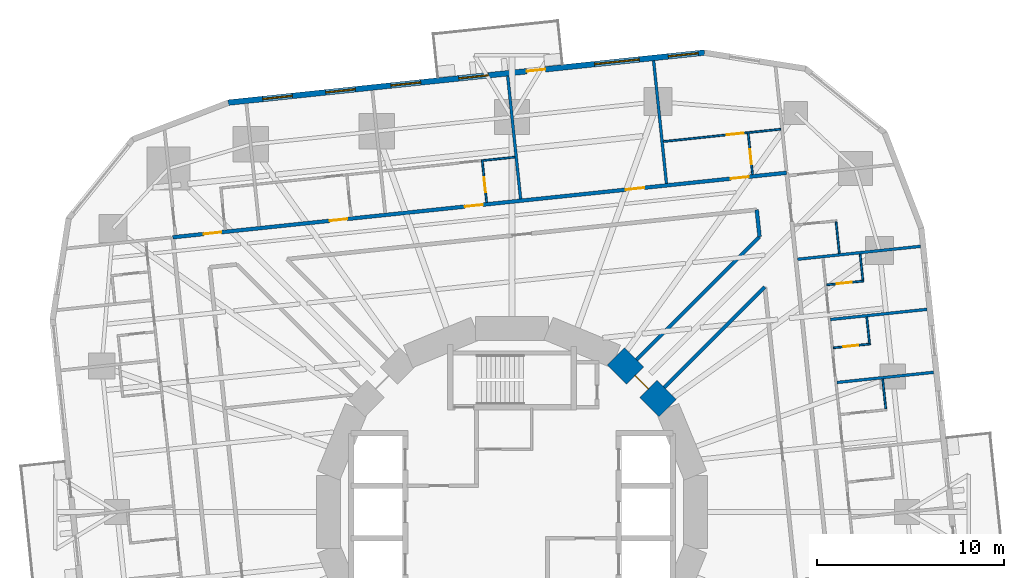
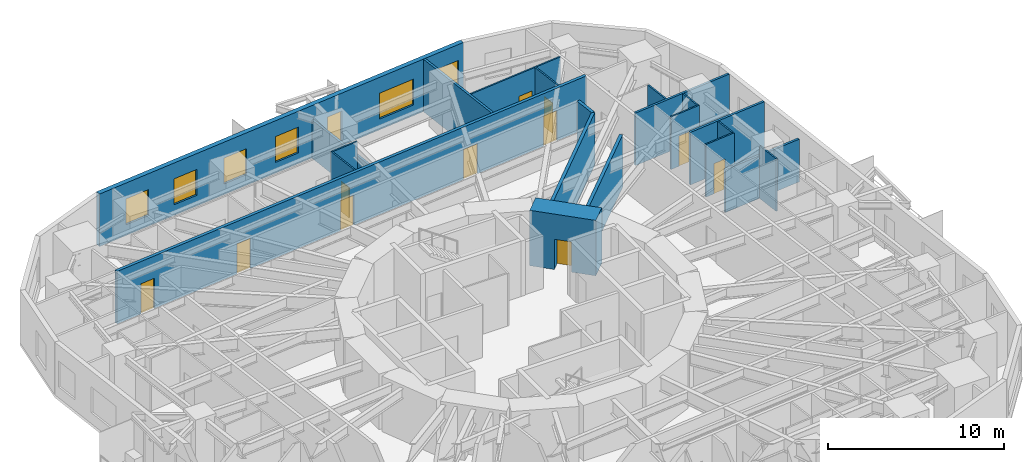
# One storey, part 11 of 14: 22 walls, 12 doors, 6 windows, 18 openings.
"""IFC4 building model written with IfcOpenShell, lengths in metres."""

from ifc_helpers import new_model, si_unit, direction, frame, frame_2d, origin, place, context, subcontext, project, spatial, rectangle, extrude, material, layer, layer_set, type_object, element, fill, save


model = new_model("IFC4")

# Units and contexts
model_context = context("Model", 3, precision=1e-05, world=origin(), true_north=direction((0.0, 1.0)))
body_context = subcontext(model_context, "Body", "Model", "MODEL_VIEW")
ifc_project = project(units=[si_unit("LENGTHUNIT", "METRE"), si_unit("AREAUNIT", "SQUARE_METRE"), si_unit("VOLUMEUNIT", "CUBIC_METRE"), si_unit("PLANEANGLEUNIT", "RADIAN"), si_unit("MASSUNIT", "GRAM", prefix="KILO")], contexts=[model_context])

# Site, building, storey
site_placement = place(None, origin())
site = spatial("IfcSite", under=ifc_project, at=site_placement, CompositionType="ELEMENT")
building_placement = place(site_placement, origin())
building = spatial("IfcBuilding", under=site, at=building_placement, Name="Nakasero Lantern House", CompositionType="ELEMENT")
storey_placement = place(building_placement, frame((0.0, 0.0, 87.449951171875)))
storey = spatial("IfcBuildingStorey", under=building, at=storey_placement, Name="L21", CompositionType="ELEMENT", Elevation=87.449951171875)

# Wall, opening, door
ifc_material_1 = material(Name="Concrete C50/60", Category="concrete")
ifc_layer_1 = layer(ifc_material_1, 1.300048828125)
ifc_layer_set_1 = layer_set([ifc_layer_1], Name="Core wall 1300")
wall_type_1 = type_object("IfcWallType", Name="Core wall 1300", PredefinedType="SHEAR", material=ifc_layer_set_1)
wall_1_placement = place(storey_placement, frame((8.314697265625, 5.5556640625, 0.0), z_axis=(0.0, 0.0, 1.0), x_axis=(-0.707106781187, 0.707106781187, 0.0)))
wall_1 = element("IfcWall", 1, at=wall_1_placement, inside=storey, type_object=wall_type_1, Name="Core wall L21 facet 2", PredefinedType="SHEAR", context=body_context, shape_type="SweptSolid", body=[
    extrude(rectangle(XDim=3.90185546875, YDim=1.300048828125, at=frame_2d((1.950927734375, 0.0))), origin(), (0.0, 0.0, 1.0), 3.85009765625),
])
opening_1_placement = place(wall_1_placement, frame((1.450927734375, 0.0, 0.0)))
opening_1 = element("IfcOpeningElement", 2, at=opening_1_placement, cuts=wall_1, Name="Opening D05", PredefinedType="OPENING", context=body_context, shape_type="SweptSolid", body=[
    extrude(rectangle(XDim=1.0, YDim=2.10009765625, at=frame_2d((0.5, 1.050048828125))), frame((0.0, 0.669921875, 0.0), z_axis=(0.0, -1.0, 0.0), x_axis=(1.0, 0.0, 0.0)), (0.0, 0.0, 1.0), 1.340087890625),
])
ifc_material_2 = material(Name="Timber C24", Category="wood")
door_type_1 = type_object("IfcDoorType", Name="Core door FD60S 1000", OperationType="SINGLE_SWING_LEFT", PredefinedType="DOOR", material=ifc_material_2)
door_1_placement = place(opening_1_placement, origin())
door_1 = element("IfcDoor", 3, at=door_1_placement, inside=storey, type_object=door_type_1, Name="Door L21 D-CORE02", OperationType="SINGLE_SWING_LEFT", OverallHeight=2.10009765625, OverallWidth=1.0, PredefinedType="DOOR", context=body_context, shape_type="SweptSolid", body=[
    extrude(rectangle(XDim=1.0, YDim=2.10009765625, at=frame_2d((0.5, 1.050048828125))), frame((0.0, 0.02490234375, 0.0), z_axis=(0.0, -1.0, 0.0), x_axis=(1.0, 0.0, 0.0)), (0.0, 0.0, 1.0), 0.050048828125),
])
fill(opening_1, door_1)

# Wall, openings, doors
ifc_material_3 = material(Name="Blockwork", Category="masonry")
ifc_layer_2 = layer(ifc_material_3, 0.199951171875)
ifc_layer_set_2 = layer_set([ifc_layer_2], Name="Corridor wall 200")
wall_type_2 = type_object("IfcWallType", Name="Corridor wall 200", PredefinedType="PARTITIONING", material=ifc_layer_set_2)
wall_2_placement = place(storey_placement, frame((14.684814453125, 18.13427734375, 0.0), z_axis=(0.0, 0.0, 1.0), x_axis=(-0.994521777723, -0.10452958258, 0.0)))
wall_2 = element("IfcWall", 4, at=wall_2_placement, inside=storey, type_object=wall_type_2, Name="Corridor wall L21 CW1", PredefinedType="PARTITIONING", context=body_context, shape_type="SweptSolid", body=[
    extrude(rectangle(XDim=32.999755859375, YDim=0.199951171875, at=frame_2d((16.5, 0.0))), origin(), (0.0, 0.0, 1.0), 3.650146484375),
])
opening_2_placement = place(wall_2_placement, frame((2.050048828125, 0.0, 0.0)))
opening_2 = element("IfcOpeningElement", 5, at=opening_2_placement, cuts=wall_2, Name="Opening D01", PredefinedType="OPENING", context=body_context, shape_type="SweptSolid", body=[
    extrude(rectangle(XDim=0.949951171875, YDim=2.10009765625, at=frame_2d((0.47509765625, 1.050048828125))), frame((0.0, 0.119873046875, 0.0), z_axis=(0.0, -1.0, 0.0), x_axis=(1.0, 0.0, 0.0)), (0.0, 0.0, 1.0), 0.239990234375),
])
opening_3_placement = place(wall_2_placement, frame((16.3427734375, 0.0, 0.0)))
opening_3 = element("IfcOpeningElement", 6, at=opening_3_placement, cuts=wall_2, Name="Opening D01", PredefinedType="OPENING", context=body_context, shape_type="SweptSolid", body=[
    extrude(rectangle(XDim=0.949951171875, YDim=2.10009765625, at=frame_2d((0.47509765625, 1.050048828125))), frame((0.0, 0.119873046875, 0.0), z_axis=(0.0, -1.0, 0.0), x_axis=(1.0, 0.0, 0.0)), (0.0, 0.0, 1.0), 0.239990234375),
])
opening_4_placement = place(wall_2_placement, frame((23.6201171875, 0.0, 0.0)))
opening_4 = element("IfcOpeningElement", 7, at=opening_4_placement, cuts=wall_2, Name="Opening D01", PredefinedType="OPENING", context=body_context, shape_type="SweptSolid", body=[
    extrude(rectangle(XDim=0.949951171875, YDim=2.10009765625, at=frame_2d((0.47509765625, 1.050048828125))), frame((0.0, 0.119873046875, 0.0), z_axis=(0.0, -1.0, 0.0), x_axis=(1.0, 0.0, 0.0)), (0.0, 0.0, 1.0), 0.239990234375),
])
opening_5_placement = place(wall_2_placement, frame((30.39111328125, 0.0, 0.0)))
opening_5 = element("IfcOpeningElement", 8, at=opening_5_placement, cuts=wall_2, Name="Opening D01", PredefinedType="OPENING", context=body_context, shape_type="SweptSolid", body=[
    extrude(rectangle(XDim=0.949951171875, YDim=2.10009765625, at=frame_2d((0.47509765625, 1.050048828125))), frame((0.0, 0.119873046875, 0.0), z_axis=(0.0, -1.0, 0.0), x_axis=(1.0, 0.0, 0.0)), (0.0, 0.0, 1.0), 0.239990234375),
])
opening_6_placement = place(wall_2_placement, frame((7.650634765625, 0.0, 0.0)))
opening_6 = element("IfcOpeningElement", 9, at=opening_6_placement, cuts=wall_2, Name="Opening D03", PredefinedType="OPENING", context=body_context, shape_type="SweptSolid", body=[
    extrude(rectangle(XDim=1.0, YDim=2.10009765625, at=frame_2d((0.5, 1.050048828125))), frame((0.0, 0.119873046875, 0.0), z_axis=(0.0, -1.0, 0.0), x_axis=(1.0, 0.0, 0.0)), (0.0, 0.0, 1.0), 0.239990234375),
])
ifc_material_4 = material(Name="Timber C24", Category="wood")
door_type_2 = type_object("IfcDoorType", Name="Bedroom door FD30S 950", OperationType="SINGLE_SWING_LEFT", PredefinedType="DOOR", material=ifc_material_4)
door_2_placement = place(opening_2_placement, origin())
door_2 = element("IfcDoor", 10, at=door_2_placement, inside=storey, type_object=door_type_2, Name="Door L21 D1-00", OperationType="SINGLE_SWING_LEFT", OverallHeight=2.10009765625, OverallWidth=0.949951171875, PredefinedType="DOOR", context=body_context, shape_type="SweptSolid", body=[
    extrude(rectangle(XDim=0.949951171875, YDim=2.10009765625, at=frame_2d((0.47509765625, 1.050048828125))), frame((0.0, 0.02490234375, 0.0), z_axis=(0.0, -1.0, 0.0), x_axis=(1.0, 0.0, 0.0)), (0.0, 0.0, 1.0), 0.050048828125),
])
fill(opening_2, door_2)
door_3_placement = place(opening_3_placement, origin())
door_3 = element("IfcDoor", 11, at=door_3_placement, inside=storey, type_object=door_type_2, Name="Door L21 D1-04", OperationType="SINGLE_SWING_RIGHT", OverallHeight=2.10009765625, OverallWidth=0.949951171875, PredefinedType="DOOR", context=body_context, shape_type="SweptSolid", body=[
    extrude(rectangle(XDim=0.949951171875, YDim=2.10009765625, at=frame_2d((0.47509765625, 1.050048828125))), frame((0.0, 0.02490234375, 0.0), z_axis=(0.0, -1.0, 0.0), x_axis=(1.0, 0.0, 0.0)), (0.0, 0.0, 1.0), 0.050048828125),
])
fill(opening_3, door_3)
door_4_placement = place(opening_4_placement, origin())
door_4 = element("IfcDoor", 12, at=door_4_placement, inside=storey, type_object=door_type_2, Name="Door L21 D1-06", OperationType="SINGLE_SWING_RIGHT", OverallHeight=2.10009765625, OverallWidth=0.949951171875, PredefinedType="DOOR", context=body_context, shape_type="SweptSolid", body=[
    extrude(rectangle(XDim=0.949951171875, YDim=2.10009765625, at=frame_2d((0.47509765625, 1.050048828125))), frame((0.0, 0.02490234375, 0.0), z_axis=(0.0, -1.0, 0.0), x_axis=(1.0, 0.0, 0.0)), (0.0, 0.0, 1.0), 0.050048828125),
])
fill(opening_4, door_4)
door_5_placement = place(opening_5_placement, origin())
door_5 = element("IfcDoor", 13, at=door_5_placement, inside=storey, type_object=door_type_2, Name="Door L21 D1-08", OperationType="SINGLE_SWING_RIGHT", OverallHeight=2.10009765625, OverallWidth=0.949951171875, PredefinedType="DOOR", context=body_context, shape_type="SweptSolid", body=[
    extrude(rectangle(XDim=0.949951171875, YDim=2.10009765625, at=frame_2d((0.47509765625, 1.050048828125))), frame((0.0, 0.02490234375, 0.0), z_axis=(0.0, -1.0, 0.0), x_axis=(1.0, 0.0, 0.0)), (0.0, 0.0, 1.0), 0.050048828125),
])
fill(opening_5, door_5)
ifc_material_5 = material(Name="Timber C24", Category="wood")
door_type_3 = type_object("IfcDoorType", Name="Lounge door FD30S 1000", OperationType="SINGLE_SWING_LEFT", PredefinedType="DOOR", material=ifc_material_5)
door_6_placement = place(opening_6_placement, origin())
door_6 = element("IfcDoor", 14, at=door_6_placement, inside=storey, type_object=door_type_3, Name="Door L21 DK1", OperationType="SINGLE_SWING_LEFT", OverallHeight=2.10009765625, OverallWidth=1.0, PredefinedType="DOOR", context=body_context, shape_type="SweptSolid", body=[
    extrude(rectangle(XDim=1.0, YDim=2.10009765625, at=frame_2d((0.5, 1.050048828125))), frame((0.0, 0.02490234375, 0.0), z_axis=(0.0, -1.0, 0.0), x_axis=(1.0, 0.0, 0.0)), (0.0, 0.0, 1.0), 0.050048828125),
])
fill(opening_6, door_6)

# Walls
wall_3_placement = place(storey_placement, frame((13.23388671875, 14.718994140625, 0.0), z_axis=(0.0, 0.0, 1.0), x_axis=(-0.104420916302, 0.994533193131, 0.0)))
element("IfcWall", 15, at=wall_3_placement, inside=storey, type_object=wall_type_2, Name="Corridor wall L21 IW0-1", PredefinedType="PARTITIONING", context=body_context, shape_type="SweptSolid", body=[
    extrude(rectangle(XDim=1.44482421875, YDim=0.199951171875, at=frame_2d((0.722412109375, 0.0))), origin(), (0.0, 0.0, 1.0), 3.650146484375),
])
wall_4_placement = place(storey_placement, frame((6.65234375, 8.13720703125, 0.0), z_axis=(0.0, 0.0, 1.0), x_axis=(0.707093666337, 0.707119895793, 0.0)))
element("IfcWall", 16, at=wall_4_placement, inside=storey, type_object=wall_type_2, Name="Corridor wall L21 PS02a", PredefinedType="PARTITIONING", context=body_context, shape_type="SweptSolid", body=[
    extrude(rectangle(XDim=9.307861328125, YDim=0.199951171875, at=frame_2d((4.65380859375, 0.0))), origin(), (0.0, 0.0, 1.0), 3.650146484375),
])
wall_5_placement = place(storey_placement, frame((8.13720703125, 6.65234375, 0.0), z_axis=(0.0, 0.0, 1.0), x_axis=(0.707106781187, 0.707106781187, 0.0)))
element("IfcWall", 17, at=wall_5_placement, inside=storey, type_object=wall_type_2, Name="Corridor wall L21 PS02b", PredefinedType="PARTITIONING", context=body_context, shape_type="SweptSolid", body=[
    extrude(rectangle(XDim=7.607177734375, YDim=0.199951171875, at=frame_2d((3.8037109375, 0.0))), origin(), (0.0, 0.0, 1.0), 3.650146484375),
])
ifc_material_6 = material(Name="Blockwork", Category="masonry")
ifc_layer_3 = layer(ifc_material_6, 0.10009765625)
ifc_layer_set_3 = layer_set([ifc_layer_3], Name="En-suite wall 100")
wall_type_3 = type_object("IfcWallType", Name="En-suite wall 100", PredefinedType="PARTITIONING", material=ifc_layer_set_3)
wall_6_placement = place(storey_placement, frame((19.983154296875, 5.513916015625, 0.0), z_axis=(0.0, 0.0, 1.0), x_axis=(-0.104517989015, 0.994522996201, 0.0)))
element("IfcWall", 18, at=wall_6_placement, inside=storey, type_object=wall_type_3, Name="En-suite wall L21 EE0-05", PredefinedType="PARTITIONING", context=body_context, shape_type="SweptSolid", body=[
    extrude(rectangle(XDim=1.60009765625, YDim=0.10009765625, at=frame_2d((0.800048828125, 0.0))), origin(), (0.0, 0.0, 1.0), 3.650146484375),
])

# Wall, opening, door
wall_7_placement = place(storey_placement, frame((17.177001953125, 8.774169921875, 0.0), z_axis=(0.0, 0.0, 1.0), x_axis=(0.99452550138, 0.104494148666, 0.0)))
wall_7 = element("IfcWall", 19, at=wall_7_placement, inside=storey, type_object=wall_type_3, Name="En-suite wall L21 ES0-06", PredefinedType="PARTITIONING", context=body_context, shape_type="SweptSolid", body=[
    extrude(rectangle(XDim=2.0, YDim=0.10009765625, at=frame_2d((1.0, 0.0))), origin(), (0.0, 0.0, 1.0), 3.650146484375),
])
opening_7_placement = place(wall_7_placement, frame((0.550048828125, 0.0, 0.0)))
opening_7 = element("IfcOpeningElement", 20, at=opening_7_placement, cuts=wall_7, Name="Opening D02", PredefinedType="OPENING", context=body_context, shape_type="SweptSolid", body=[
    extrude(rectangle(XDim=0.800048828125, YDim=2.10009765625, at=frame_2d((0.39990234375, 1.050048828125))), frame((0.0, 0.070068359375, 0.0), z_axis=(0.0, -1.0, 0.0), x_axis=(1.0, 0.0, 0.0)), (0.0, 0.0, 1.0), 0.14013671875),
])
ifc_material_7 = material(Name="Timber C24", Category="wood")
door_type_4 = type_object("IfcDoorType", Name="En-suite door 800", OperationType="SINGLE_SWING_RIGHT", PredefinedType="DOOR", material=ifc_material_7)
door_7_placement = place(opening_7_placement, origin())
door_7 = element("IfcDoor", 21, at=door_7_placement, inside=storey, type_object=door_type_4, Name="Door L21 DE0-06", OperationType="SINGLE_SWING_LEFT", OverallHeight=2.10009765625, OverallWidth=0.800048828125, PredefinedType="DOOR", context=body_context, shape_type="SweptSolid", body=[
    extrude(rectangle(XDim=0.800048828125, YDim=2.10009765625, at=frame_2d((0.39990234375, 1.050048828125))), frame((0.0, 0.02490234375, 0.0), z_axis=(0.0, -1.0, 0.0), x_axis=(1.0, 0.0, 0.0)), (0.0, 0.0, 1.0), 0.050048828125),
])
fill(opening_7, door_7)

# Wall
wall_8_placement = place(storey_placement, frame((19.111083984375, 9.027587890625, 0.0), z_axis=(0.0, 0.0, 1.0), x_axis=(-0.104630319263, 0.994511184598, 0.0)))
element("IfcWall", 22, at=wall_8_placement, inside=storey, type_object=wall_type_3, Name="En-suite wall L21 EE0-06", PredefinedType="PARTITIONING", context=body_context, shape_type="SweptSolid", body=[
    extrude(rectangle(XDim=1.39990234375, YDim=0.10009765625, at=frame_2d((0.699951171875, 0.0))), origin(), (0.0, 0.0, 1.0), 3.650146484375),
])

# Wall, opening, door
wall_9_placement = place(storey_placement, frame((16.822998046875, 12.14111328125, 0.0), z_axis=(0.0, 0.0, 1.0), x_axis=(0.99452550138, 0.104494148666, 0.0)))
wall_9 = element("IfcWall", 23, at=wall_9_placement, inside=storey, type_object=wall_type_3, Name="En-suite wall L21 ES0-07", PredefinedType="PARTITIONING", context=body_context, shape_type="SweptSolid", body=[
    extrude(rectangle(XDim=2.0, YDim=0.10009765625, at=frame_2d((1.0, 0.0))), origin(), (0.0, 0.0, 1.0), 3.650146484375),
])
opening_8_placement = place(wall_9_placement, frame((0.550048828125, 0.0, 0.0)))
opening_8 = element("IfcOpeningElement", 24, at=opening_8_placement, cuts=wall_9, Name="Opening D02", PredefinedType="OPENING", context=body_context, shape_type="SweptSolid", body=[
    extrude(rectangle(XDim=0.800048828125, YDim=2.10009765625, at=frame_2d((0.39990234375, 1.050048828125))), frame((0.0, 0.070068359375, 0.0), z_axis=(0.0, -1.0, 0.0), x_axis=(1.0, 0.0, 0.0)), (0.0, 0.0, 1.0), 0.14013671875),
])
door_8_placement = place(opening_8_placement, origin())
door_8 = element("IfcDoor", 25, at=door_8_placement, inside=storey, type_object=door_type_4, Name="Door L21 DE0-07", OperationType="SINGLE_SWING_LEFT", OverallHeight=2.10009765625, OverallWidth=0.800048828125, PredefinedType="DOOR", context=body_context, shape_type="SweptSolid", body=[
    extrude(rectangle(XDim=0.800048828125, YDim=2.10009765625, at=frame_2d((0.39990234375, 1.050048828125))), frame((0.0, 0.02490234375, 0.0), z_axis=(0.0, -1.0, 0.0), x_axis=(1.0, 0.0, 0.0)), (0.0, 0.0, 1.0), 0.050048828125),
])
fill(opening_8, door_8)

# Walls
wall_10_placement = place(storey_placement, frame((18.757080078125, 12.394775390625, 0.0), z_axis=(0.0, 0.0, 1.0), x_axis=(-0.104457839748, 0.994529315664, 0.0)))
element("IfcWall", 26, at=wall_10_placement, inside=storey, type_object=wall_type_3, Name="En-suite wall L21 EE0-07", PredefinedType="PARTITIONING", context=body_context, shape_type="SweptSolid", body=[
    extrude(rectangle(XDim=1.39990234375, YDim=0.10009765625, at=frame_2d((0.699951171875, 0.0))), origin(), (0.0, 0.0, 1.0), 3.650146484375),
])
wall_11_placement = place(storey_placement, frame((17.501220703125, 13.8212890625, 0.0), z_axis=(0.0, 0.0, 1.0), x_axis=(-0.104550220202, 0.994519608382, 0.0)))
element("IfcWall", 27, at=wall_11_placement, inside=storey, type_object=wall_type_3, Name="En-suite wall L21 EE0-08", PredefinedType="PARTITIONING", context=body_context, shape_type="SweptSolid", body=[
    extrude(rectangle(XDim=1.699951171875, YDim=0.10009765625, at=frame_2d((0.85009765625, 0.0))), origin(), (0.0, 0.0, 1.0), 3.650146484375),
])

# Wall, opening, door
wall_12_placement = place(storey_placement, frame((12.859375, 18.04296875, 0.0), z_axis=(0.0, 0.0, 1.0), x_axis=(-0.104452703326, 0.994529855142, 0.0)))
wall_12 = element("IfcWall", 28, at=wall_12_placement, inside=storey, type_object=wall_type_3, Name="En-suite wall L21 ES1-00", PredefinedType="PARTITIONING", context=body_context, shape_type="SweptSolid", body=[
    extrude(rectangle(XDim=2.300048828125, YDim=0.10009765625, at=frame_2d((1.14990234375, 0.0))), origin(), (0.0, 0.0, 1.0), 3.650146484375),
])
opening_9_placement = place(wall_12_placement, frame((0.550048828125, 0.0, 0.0)))
opening_9 = element("IfcOpeningElement", 29, at=opening_9_placement, cuts=wall_12, Name="Opening D02", PredefinedType="OPENING", context=body_context, shape_type="SweptSolid", body=[
    extrude(rectangle(XDim=0.800048828125, YDim=2.10009765625, at=frame_2d((0.39990234375, 1.050048828125))), frame((0.0, 0.070068359375, 0.0), z_axis=(0.0, -1.0, 0.0), x_axis=(1.0, 0.0, 0.0)), (0.0, 0.0, 1.0), 0.14013671875),
])
door_9_placement = place(opening_9_placement, origin())
door_9 = element("IfcDoor", 30, at=door_9_placement, inside=storey, type_object=door_type_4, Name="Door L21 DE1-00", OperationType="SINGLE_SWING_LEFT", OverallHeight=2.10009765625, OverallWidth=0.800048828125, PredefinedType="DOOR", context=body_context, shape_type="SweptSolid", body=[
    extrude(rectangle(XDim=0.800048828125, YDim=2.10009765625, at=frame_2d((0.39990234375, 1.050048828125))), frame((0.0, 0.02490234375, 0.0), z_axis=(0.0, -1.0, 0.0), x_axis=(1.0, 0.0, 0.0)), (0.0, 0.0, 1.0), 0.050048828125),
])
fill(opening_9, door_9)

# Wall
wall_13_placement = place(storey_placement, frame((14.36474609375, 20.463623046875, 0.0), z_axis=(0.0, 0.0, 1.0), x_axis=(-0.994519608382, -0.104550220202, 0.0)))
element("IfcWall", 31, at=wall_13_placement, inside=storey, type_object=wall_type_3, Name="En-suite wall L21 EE1-00", PredefinedType="PARTITIONING", context=body_context, shape_type="SweptSolid", body=[
    extrude(rectangle(XDim=1.699951171875, YDim=0.10009765625, at=frame_2d((0.85009765625, 0.0))), origin(), (0.0, 0.0, 1.0), 3.650146484375),
])

# Wall, opening, door
wall_14_placement = place(storey_placement, frame((-1.35498046875, 16.549072265625, 0.0), z_axis=(0.0, 0.0, 1.0), x_axis=(-0.104557694553, 0.994518822602, 0.0)))
wall_14 = element("IfcWall", 32, at=wall_14_placement, inside=storey, type_object=wall_type_3, Name="En-suite wall L21 ES1-04", PredefinedType="PARTITIONING", context=body_context, shape_type="SweptSolid", body=[
    extrude(rectangle(XDim=2.300048828125, YDim=0.10009765625, at=frame_2d((1.14990234375, 0.0))), origin(), (0.0, 0.0, 1.0), 3.650146484375),
])
opening_10_placement = place(wall_14_placement, frame((0.550048828125, 0.0, 0.0)))
opening_10 = element("IfcOpeningElement", 33, at=opening_10_placement, cuts=wall_14, Name="Opening D02", PredefinedType="OPENING", context=body_context, shape_type="SweptSolid", body=[
    extrude(rectangle(XDim=0.800048828125, YDim=2.10009765625, at=frame_2d((0.39990234375, 1.050048828125))), frame((0.0, 0.070068359375, 0.0), z_axis=(0.0, -1.0, 0.0), x_axis=(1.0, 0.0, 0.0)), (0.0, 0.0, 1.0), 0.14013671875),
])
door_10_placement = place(opening_10_placement, origin())
door_10 = element("IfcDoor", 34, at=door_10_placement, inside=storey, type_object=door_type_4, Name="Door L21 DE1-04", OperationType="SINGLE_SWING_LEFT", OverallHeight=2.10009765625, OverallWidth=0.800048828125, PredefinedType="DOOR", context=body_context, shape_type="SweptSolid", body=[
    extrude(rectangle(XDim=0.800048828125, YDim=2.10009765625, at=frame_2d((0.39990234375, 1.050048828125))), frame((0.0, 0.02490234375, 0.0), z_axis=(0.0, -1.0, 0.0), x_axis=(1.0, 0.0, 0.0)), (0.0, 0.0, 1.0), 0.050048828125),
])
fill(opening_10, door_10)

# Wall
wall_15_placement = place(storey_placement, frame((0.150146484375, 18.9697265625, 0.0), z_axis=(0.0, 0.0, 1.0), x_axis=(-0.994519608382, -0.104550220202, 0.0)))
element("IfcWall", 35, at=wall_15_placement, inside=storey, type_object=wall_type_3, Name="En-suite wall L21 EE1-04", PredefinedType="PARTITIONING", context=body_context, shape_type="SweptSolid", body=[
    extrude(rectangle(XDim=1.699951171875, YDim=0.10009765625, at=frame_2d((0.85009765625, 0.0))), origin(), (0.0, 0.0, 1.0), 3.650146484375),
])

# Wall, opening, door
wall_16_placement = place(storey_placement, frame((12.574462890625, 20.275390625, 0.0), z_axis=(0.0, 0.0, 1.0), x_axis=(-0.994521195757, -0.104535119414, 0.0)))
wall_16 = element("IfcWall", 36, at=wall_16_placement, inside=storey, type_object=wall_type_3, Name="En-suite wall L21 EL1-00", PredefinedType="PARTITIONING", context=body_context, shape_type="SweptSolid", body=[
    extrude(rectangle(XDim=4.50048828125, YDim=0.10009765625, at=frame_2d((2.250244140625, 0.0))), origin(), (0.0, 0.0, 1.0), 3.650146484375),
])
opening_11_placement = place(wall_16_placement, frame((0.199951171875, 0.0, 0.0)))
opening_11 = element("IfcOpeningElement", 37, at=opening_11_placement, cuts=wall_16, Name="Opening D17", PredefinedType="OPENING", context=body_context, shape_type="SweptSolid", body=[
    extrude(rectangle(XDim=0.89990234375, YDim=2.10009765625, at=frame_2d((0.449951171875, 1.050048828125))), frame((0.0, 0.070068359375, 0.0), z_axis=(0.0, -1.0, 0.0), x_axis=(1.0, 0.0, 0.0)), (0.0, 0.0, 1.0), 0.14013671875),
])
ifc_material_8 = material(Name="Timber C24", Category="wood")
door_type_5 = type_object("IfcDoorType", Name="Bedroom door FD30S 900", OperationType="SINGLE_SWING_LEFT", PredefinedType="DOOR", material=ifc_material_8)
door_11_placement = place(opening_11_placement, origin())
door_11 = element("IfcDoor", 38, at=door_11_placement, inside=storey, type_object=door_type_5, Name="Door L21 DL1-00", OperationType="SINGLE_SWING_LEFT", OverallHeight=2.10009765625, OverallWidth=0.89990234375, PredefinedType="DOOR", context=body_context, shape_type="SweptSolid", body=[
    extrude(rectangle(XDim=0.89990234375, YDim=2.10009765625, at=frame_2d((0.449951171875, 1.050048828125))), frame((0.0, 0.02490234375, 0.0), z_axis=(0.0, -1.0, 0.0), x_axis=(1.0, 0.0, 0.0)), (0.0, 0.0, 1.0), 0.050048828125),
])
fill(opening_11, door_11)

# Wall, openings, door, windows
ifc_material_9 = material(Name="Aluminium rainscreen on blockwork", Category="masonry")
ifc_layer_4 = layer(ifc_material_9, 0.300048828125)
ifc_layer_set_4 = layer_set([ifc_layer_4], Name="Facade wall 300")
wall_type_4 = type_object("IfcWallType", Name="Facade wall 300", PredefinedType="SOLIDWALL", material=ifc_layer_set_4)
wall_17_placement = place(storey_placement, frame((10.2890625, 24.56005859375, 0.0), z_axis=(0.0, 0.0, 1.0), x_axis=(-0.994521483895, -0.104532378096, 0.0)))
wall_17 = element("IfcWall", 39, at=wall_17_placement, inside=storey, type_object=wall_type_4, Name="Facade wall L21 FW1S", PredefinedType="SOLIDWALL", context=body_context, shape_type="SweptSolid", body=[
    extrude(rectangle(XDim=25.599853515625, YDim=0.300048828125, at=frame_2d((12.7998046875, 0.0))), origin(), (0.0, 0.0, 1.0), 3.650146484375),
])
opening_12_placement = place(wall_17_placement, frame((0.337890625, 0.0, 0.75)))
opening_12 = element("IfcOpeningElement", 40, at=opening_12_placement, cuts=wall_17, Name="Opening W01", PredefinedType="OPENING", context=body_context, shape_type="SweptSolid", body=[
    extrude(rectangle(XDim=1.60009765625, YDim=1.800048828125, at=frame_2d((0.800048828125, 0.89990234375))), frame((0.0, 0.169921875, 0.0), z_axis=(0.0, -1.0, 0.0), x_axis=(1.0, 0.0, 0.0)), (0.0, 0.0, 1.0), 0.340087890625),
])
opening_13_placement = place(wall_17_placement, frame((11.612060546875, 0.0, 0.75)))
opening_13 = element("IfcOpeningElement", 41, at=opening_13_placement, cuts=wall_17, Name="Opening W01", PredefinedType="OPENING", context=body_context, shape_type="SweptSolid", body=[
    extrude(rectangle(XDim=1.60009765625, YDim=1.800048828125, at=frame_2d((0.800048828125, 0.89990234375))), frame((0.0, 0.169921875, 0.0), z_axis=(0.0, -1.0, 0.0), x_axis=(1.0, 0.0, 0.0)), (0.0, 0.0, 1.0), 0.340087890625),
])
opening_14_placement = place(wall_17_placement, frame((15.250732421875, 0.0, 0.75)))
opening_14 = element("IfcOpeningElement", 42, at=opening_14_placement, cuts=wall_17, Name="Opening W01", PredefinedType="OPENING", context=body_context, shape_type="SweptSolid", body=[
    extrude(rectangle(XDim=1.60009765625, YDim=1.800048828125, at=frame_2d((0.800048828125, 0.89990234375))), frame((0.0, 0.169921875, 0.0), z_axis=(0.0, -1.0, 0.0), x_axis=(1.0, 0.0, 0.0)), (0.0, 0.0, 1.0), 0.340087890625),
])
opening_15_placement = place(wall_17_placement, frame((18.7626953125, 0.0, 0.75)))
opening_15 = element("IfcOpeningElement", 43, at=opening_15_placement, cuts=wall_17, Name="Opening W01", PredefinedType="OPENING", context=body_context, shape_type="SweptSolid", body=[
    extrude(rectangle(XDim=1.60009765625, YDim=1.800048828125, at=frame_2d((0.800048828125, 0.89990234375))), frame((0.0, 0.169921875, 0.0), z_axis=(0.0, -1.0, 0.0), x_axis=(1.0, 0.0, 0.0)), (0.0, 0.0, 1.0), 0.340087890625),
])
opening_16_placement = place(wall_17_placement, frame((22.1484375, 0.0, 0.75)))
opening_16 = element("IfcOpeningElement", 44, at=opening_16_placement, cuts=wall_17, Name="Opening W01", PredefinedType="OPENING", context=body_context, shape_type="SweptSolid", body=[
    extrude(rectangle(XDim=1.60009765625, YDim=1.800048828125, at=frame_2d((0.800048828125, 0.89990234375))), frame((0.0, 0.169921875, 0.0), z_axis=(0.0, -1.0, 0.0), x_axis=(1.0, 0.0, 0.0)), (0.0, 0.0, 1.0), 0.340087890625),
])
opening_17_placement = place(wall_17_placement, frame((3.51123046875, 0.0, 0.75)))
opening_17 = element("IfcOpeningElement", 45, at=opening_17_placement, cuts=wall_17, Name="Opening W03", PredefinedType="OPENING", context=body_context, shape_type="SweptSolid", body=[
    extrude(rectangle(XDim=2.39990234375, YDim=1.800048828125, at=frame_2d((1.199951171875, 0.89990234375))), frame((0.0, 0.169921875, 0.0), z_axis=(0.0, -1.0, 0.0), x_axis=(1.0, 0.0, 0.0)), (0.0, 0.0, 1.0), 0.340087890625),
])
opening_18_placement = place(wall_17_placement, frame((8.558837890625, 0.0, 0.0)))
opening_18 = element("IfcOpeningElement", 46, at=opening_18_placement, cuts=wall_17, Name="Opening D04", PredefinedType="OPENING", context=body_context, shape_type="SweptSolid", body=[
    extrude(rectangle(XDim=1.0, YDim=2.39990234375, at=frame_2d((0.5, 1.199951171875))), frame((0.0, 0.169921875, 0.0), z_axis=(0.0, -1.0, 0.0), x_axis=(1.0, 0.0, 0.0)), (0.0, 0.0, 1.0), 0.340087890625),
])
ifc_material_10 = material(Name="Aluminium 6063-T6 and glass", Category="aluminium")
door_type_6 = type_object("IfcDoorType", Name="Balcony door 1000x2400", OperationType="SINGLE_SWING_RIGHT", PredefinedType="DOOR", material=ifc_material_10)
door_12_placement = place(opening_18_placement, origin())
door_12 = element("IfcDoor", 47, at=door_12_placement, inside=storey, type_object=door_type_6, Name="Balcony door L21 DB1", OperationType="SINGLE_SWING_RIGHT", OverallHeight=2.39990234375, OverallWidth=1.0, PredefinedType="DOOR", context=body_context, shape_type="SweptSolid", body=[
    extrude(rectangle(XDim=1.0, YDim=2.39990234375, at=frame_2d((0.5, 1.199951171875))), frame((0.0, 0.02490234375, 0.0), z_axis=(0.0, -1.0, 0.0), x_axis=(1.0, 0.0, 0.0)), (0.0, 0.0, 1.0), 0.050048828125),
])
fill(opening_18, door_12)
ifc_material_11 = material(Name="Aluminium 6063-T6 and glass", Category="aluminium")
window_type_1 = type_object("IfcWindowType", Name="Bedroom window 1600x1800", PartitioningType="SINGLE_PANEL", PredefinedType="WINDOW", material=ifc_material_11)
window_1_placement = place(opening_12_placement, origin())
window_1 = element("IfcWindow", 48, at=window_1_placement, inside=storey, type_object=window_type_1, Name="Window L21 WN1-01", OverallHeight=1.800048828125, OverallWidth=1.60009765625, PartitioningType="SINGLE_PANEL", PredefinedType="WINDOW", context=body_context, shape_type="SweptSolid", body=[
    extrude(rectangle(XDim=1.60009765625, YDim=1.800048828125, at=frame_2d((0.800048828125, 0.89990234375))), frame((0.0, 0.030029296875, 0.0), z_axis=(0.0, -1.0, 0.0), x_axis=(1.0, 0.0, 0.0)), (0.0, 0.0, 1.0), 0.06005859375),
])
fill(opening_12, window_1)
window_2_placement = place(opening_13_placement, origin())
window_2 = element("IfcWindow", 49, at=window_2_placement, inside=storey, type_object=window_type_1, Name="Window L21 WN1-04", OverallHeight=1.800048828125, OverallWidth=1.60009765625, PartitioningType="SINGLE_PANEL", PredefinedType="WINDOW", context=body_context, shape_type="SweptSolid", body=[
    extrude(rectangle(XDim=1.60009765625, YDim=1.800048828125, at=frame_2d((0.800048828125, 0.89990234375))), frame((0.0, 0.030029296875, 0.0), z_axis=(0.0, -1.0, 0.0), x_axis=(1.0, 0.0, 0.0)), (0.0, 0.0, 1.0), 0.06005859375),
])
fill(opening_13, window_2)
window_3_placement = place(opening_14_placement, origin())
window_3 = element("IfcWindow", 50, at=window_3_placement, inside=storey, type_object=window_type_1, Name="Window L21 WN1-05", OverallHeight=1.800048828125, OverallWidth=1.60009765625, PartitioningType="SINGLE_PANEL", PredefinedType="WINDOW", context=body_context, shape_type="SweptSolid", body=[
    extrude(rectangle(XDim=1.60009765625, YDim=1.800048828125, at=frame_2d((0.800048828125, 0.89990234375))), frame((0.0, 0.030029296875, 0.0), z_axis=(0.0, -1.0, 0.0), x_axis=(1.0, 0.0, 0.0)), (0.0, 0.0, 1.0), 0.06005859375),
])
fill(opening_14, window_3)
window_4_placement = place(opening_15_placement, origin())
window_4 = element("IfcWindow", 51, at=window_4_placement, inside=storey, type_object=window_type_1, Name="Window L21 WN1-06", OverallHeight=1.800048828125, OverallWidth=1.60009765625, PartitioningType="SINGLE_PANEL", PredefinedType="WINDOW", context=body_context, shape_type="SweptSolid", body=[
    extrude(rectangle(XDim=1.60009765625, YDim=1.800048828125, at=frame_2d((0.800048828125, 0.89990234375))), frame((0.0, 0.030029296875, 0.0), z_axis=(0.0, -1.0, 0.0), x_axis=(1.0, 0.0, 0.0)), (0.0, 0.0, 1.0), 0.06005859375),
])
fill(opening_15, window_4)
window_5_placement = place(opening_16_placement, origin())
window_5 = element("IfcWindow", 52, at=window_5_placement, inside=storey, type_object=window_type_1, Name="Window L21 WN1-07", OverallHeight=1.800048828125, OverallWidth=1.60009765625, PartitioningType="SINGLE_PANEL", PredefinedType="WINDOW", context=body_context, shape_type="SweptSolid", body=[
    extrude(rectangle(XDim=1.60009765625, YDim=1.800048828125, at=frame_2d((0.800048828125, 0.89990234375))), frame((0.0, 0.030029296875, 0.0), z_axis=(0.0, -1.0, 0.0), x_axis=(1.0, 0.0, 0.0)), (0.0, 0.0, 1.0), 0.06005859375),
])
fill(opening_16, window_5)
ifc_material_12 = material(Name="Aluminium 6063-T6 and glass", Category="aluminium")
window_type_2 = type_object("IfcWindowType", Name="Lounge window 2400x1800", PartitioningType="SINGLE_PANEL", PredefinedType="WINDOW", material=ifc_material_12)
window_6_placement = place(opening_17_placement, origin())
window_6 = element("IfcWindow", 53, at=window_6_placement, inside=storey, type_object=window_type_2, Name="Window L21 WK1", OverallHeight=1.800048828125, OverallWidth=2.39990234375, PartitioningType="SINGLE_PANEL", PredefinedType="WINDOW", context=body_context, shape_type="SweptSolid", body=[
    extrude(rectangle(XDim=2.39990234375, YDim=1.800048828125, at=frame_2d((1.199951171875, 0.89990234375))), frame((0.0, 0.030029296875, 0.0), z_axis=(0.0, -1.0, 0.0), x_axis=(1.0, 0.0, 0.0)), (0.0, 0.0, 1.0), 0.06005859375),
])
fill(opening_17, window_6)

# Walls
ifc_material_13 = material(Name="Blockwork", Category="masonry")
ifc_layer_5 = layer(ifc_material_13, 0.14990234375)
ifc_layer_set_5 = layer_set([ifc_layer_5], Name="Party wall 150")
wall_type_5 = type_object("IfcWallType", Name="Party wall 150", PredefinedType="PARTITIONING", material=ifc_layer_set_5)
wall_18_placement = place(storey_placement, frame((17.371337890625, 6.923828125, 0.0), z_axis=(0.0, 0.0, 1.0), x_axis=(0.994523959761, 0.104508820017, 0.0)))
element("IfcWall", 54, at=wall_18_placement, inside=storey, type_object=wall_type_5, Name="Party wall L21 PW0-06", PredefinedType="PARTITIONING", context=body_context, shape_type="SweptSolid", body=[
    extrude(rectangle(XDim=5.2001953125, YDim=0.14990234375, at=frame_2d((2.60009765625, 0.0))), origin(), (0.0, 0.0, 1.0), 2.966552734375),
])
wall_19_placement = place(storey_placement, frame((17.017578125, 10.290771484375, 0.0), z_axis=(0.0, 0.0, 1.0), x_axis=(0.994523446942, 0.104513699976, 0.0)))
element("IfcWall", 55, at=wall_19_placement, inside=storey, type_object=wall_type_5, Name="Party wall L21 PW0-07", PredefinedType="PARTITIONING", context=body_context, shape_type="SweptSolid", body=[
    extrude(rectangle(XDim=5.199951171875, YDim=0.14990234375, at=frame_2d((2.60009765625, 0.0))), origin(), (0.0, 0.0, 1.0), 3.650146484375),
])
wall_20_placement = place(storey_placement, frame((15.271240234375, 13.511474609375, 0.0), z_axis=(0.0, 0.0, 1.0), x_axis=(0.994521251134, 0.104534592565, 0.0)))
element("IfcWall", 56, at=wall_20_placement, inside=storey, type_object=wall_type_5, Name="Party wall L21 PW0-08", PredefinedType="PARTITIONING", context=body_context, shape_type="SweptSolid", body=[
    extrude(rectangle(XDim=6.60009765625, YDim=0.14990234375, at=frame_2d((3.300048828125, 0.0))), origin(), (0.0, 0.0, 1.0), 3.650146484375),
])
wall_21_placement = place(storey_placement, frame((8.25927734375, 17.5595703125, 0.0), z_axis=(0.0, 0.0, 1.0), x_axis=(-0.104538438287, 0.994520846901, 0.0)))
element("IfcWall", 57, at=wall_21_placement, inside=storey, type_object=wall_type_5, Name="Party wall L21 PW1-02", PredefinedType="PARTITIONING", context=body_context, shape_type="SweptSolid", body=[
    extrude(rectangle(XDim=6.599853515625, YDim=0.14990234375, at=frame_2d((3.2998046875, 0.0))), origin(), (0.0, 0.0, 1.0), 3.650146484375),
])
wall_22_placement = place(storey_placement, frame((0.4599609375, 16.73974609375, 0.0), z_axis=(0.0, 0.0, 1.0), x_axis=(-0.104534592565, 0.994521251134, 0.0)))
element("IfcWall", 58, at=wall_22_placement, inside=storey, type_object=wall_type_5, Name="Party wall L21 PW1-04", PredefinedType="PARTITIONING", context=body_context, shape_type="SweptSolid", body=[
    extrude(rectangle(XDim=6.60009765625, YDim=0.14990234375, at=frame_2d((3.300048828125, 0.0))), origin(), (0.0, 0.0, 1.0), 2.650146484375),
])

save(model, "model.ifc")
